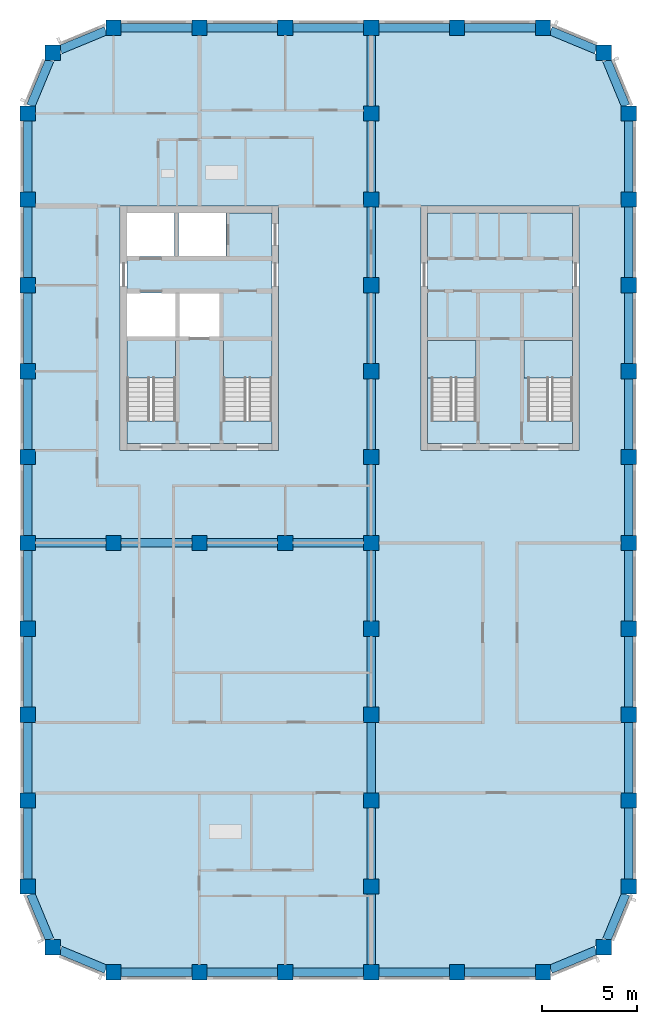
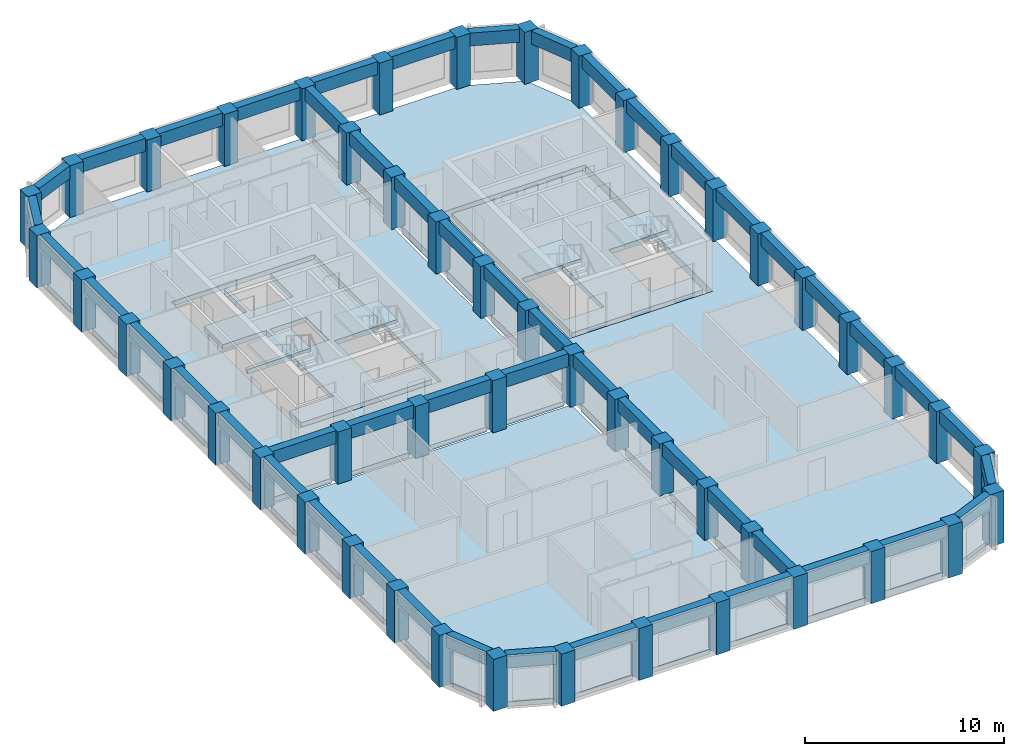
# One storey, part 1 of 9: 51 beams, 49 columns, 9 slabs, 4 elements without a shape of their own.
"""IFC4 building model written with IfcOpenShell, lengths in metres."""

from ifc_helpers import new_model, si_unit, direction, frame, origin, origin_2d, place, context, subcontext, project, spatial, polyline, rectangle, outline, extrude, material, layer, layer_set, material_profile, profile_set, type_object, element, aggregate, save


model = new_model("IFC4")

# Units and contexts
model_context = context("Model", 3, precision=1e-05, world=origin(), true_north=direction((0.0, 1.0)))
body_context = subcontext(model_context, "Body", "Model", "MODEL_VIEW")
ifc_project = project(units=[si_unit("LENGTHUNIT", "METRE"), si_unit("AREAUNIT", "SQUARE_METRE"), si_unit("VOLUMEUNIT", "CUBIC_METRE"), si_unit("PLANEANGLEUNIT", "RADIAN"), si_unit("MASSUNIT", "GRAM", prefix="KILO")], contexts=[model_context])

# Site, building, storey
site_placement = place(None, origin())
site = spatial("IfcSite", under=ifc_project, at=site_placement, CompositionType="ELEMENT")
building_placement = place(site_placement, origin())
building = spatial("IfcBuilding", under=site, at=building_placement, Name="Girih Gate Residences", CompositionType="ELEMENT")
storey_placement = place(building_placement, frame((0.0, 0.0, 216.4951171875)))
storey = spatial("IfcBuildingStorey", under=building, at=storey_placement, Name="L60", CompositionType="ELEMENT", Elevation=216.4951171875)

# Columns
ifc_material_1 = material(Name="Concrete C60/75", Category="concrete")
ifc_material_profile_1 = material_profile(ifc_material_1, rectangle(XDim=0.800048828125, YDim=0.800048828125, at=origin_2d()))
ifc_profile_set_1 = profile_set([ifc_material_profile_1], Name="Concrete C60/75")
column_type = type_object("IfcColumnType", Name="Pier RC 800x800 Concrete C60/75", PredefinedType="COLUMN", material=ifc_profile_set_1)
for number, where, z_axis, x_axis, name in (
    (1, (4.5, 0.0, 0.0), (0.0, 0.0, 1.0), (1.0, 0.0, 0.0), "Pier P2A L60"),
    (2, (9.0, 0.0, 0.0), (0.0, 0.0, 1.0), (1.0, 0.0, 0.0), "Pier P3A L60"),
    (3, (13.5, 0.0, 0.0), (0.0, 0.0, 1.0), (1.0, 0.0, 0.0), "Pier P4A L60"),
    (4, (18.0, 0.0, 0.0), (0.0, 0.0, 1.0), (1.0, 0.0, 0.0), "Pier P5A L60"),
    (5, (22.5, 0.0, 0.0), (0.0, 0.0, 1.0), (1.0, 0.0, 0.0), "Pier P6A L60"),
    (6, (27.0, 0.0, 0.0), (0.0, 0.0, 1.0), (1.0, 0.0, 0.0), "Pier P7A L60"),
    (7, (1.318115234375, 1.318115234375, 0.0), (0.0, 0.0, 1.0), (1.0, 0.0, 0.0), "Pier P1ANE L60"),
    (8, (30.181884765625, 1.318115234375, 0.0), (0.0, 0.0, 1.0), (1.0, 0.0, 0.0), "Pier P8ANW L60"),
    (9, (0.0, 4.5, 0.0), (0.0, 0.0, 1.0), (1.0, 0.0, 0.0), "Pier P1B L60"),
    (10, (18.0, 4.5, 0.0), (0.0, 0.0, 1.0), (1.0, 0.0, 0.0), "Pier P5B L60"),
    (11, (31.5, 4.5, 0.0), (0.0, 0.0, 1.0), (1.0, 0.0, 0.0), "Pier P8B L60"),
    (12, (0.0, 9.0, 0.0), (0.0, 0.0, 1.0), (1.0, 0.0, 0.0), "Pier P1C L60"),
    (13, (18.0, 9.0, 0.0), (0.0, 0.0, 1.0), (1.0, 0.0, 0.0), "Pier P5C L60"),
    (14, (31.5, 9.0, 0.0), (0.0, 0.0, 1.0), (1.0, 0.0, 0.0), "Pier P8C L60"),
    (15, (0.0, 13.5, 0.0), (0.0, 0.0, 1.0), (1.0, 0.0, 0.0), "Pier P1D L60"),
    (16, (18.0, 13.5, 0.0), (0.0, 0.0, 1.0), (1.0, 0.0, 0.0), "Pier P5D L60"),
    (17, (31.5, 13.5, 0.0), (0.0, 0.0, 1.0), (1.0, 0.0, 0.0), "Pier P8D L60"),
    (18, (0.0, 18.0, 0.0), (0.0, 0.0, 1.0), (1.0, 0.0, 0.0), "Pier P1E L60"),
    (19, (18.0, 18.0, 0.0), (0.0, 0.0, 1.0), (1.0, 0.0, 0.0), "Pier P5E L60"),
    (20, (31.5, 18.0, 0.0), (0.0, 0.0, 1.0), (1.0, 0.0, 0.0), "Pier P8E L60"),
    (21, (0.0, 22.5, 0.0), (0.0, 0.0, 1.0), (1.0, 0.0, 0.0), "Pier P1F L60"),
    (22, (4.5, 22.5, 0.0), (0.0, 0.0, 1.0), (1.0, 0.0, 0.0), "Pier P2F L60"),
    (23, (9.0, 22.5, 0.0), (0.0, 0.0, 1.0), (1.0, 0.0, 0.0), "Pier P3F L60"),
    (24, (13.5, 22.5, 0.0), (0.0, 0.0, 1.0), (1.0, 0.0, 0.0), "Pier P4F L60"),
    (25, (18.0, 22.5, 0.0), (0.0, 0.0, 1.0), (1.0, 0.0, 0.0), "Pier P5F L60"),
    (26, (31.5, 22.5, 0.0), (0.0, 0.0, 1.0), (1.0, 0.0, 0.0), "Pier P8F L60"),
    (27, (0.0, 27.0, 0.0), (0.0, 0.0, 1.0), (1.0, 0.0, 0.0), "Pier P1G L60"),
    (28, (18.0, 27.0, 0.0), (0.0, 0.0, 1.0), (1.0, 0.0, 0.0), "Pier P5G L60"),
    (29, (31.5, 27.0, 0.0), (0.0, 0.0, 1.0), (1.0, 0.0, 0.0), "Pier P8G L60"),
    (30, (0.0, 31.5, 0.0), (0.0, 0.0, 1.0), (1.0, 0.0, 0.0), "Pier P1H L60"),
    (31, (18.0, 31.5, 0.0), (0.0, 0.0, 1.0), (1.0, 0.0, 0.0), "Pier P5H L60"),
    (32, (31.5, 31.5, 0.0), (0.0, 0.0, 1.0), (1.0, 0.0, 0.0), "Pier P8H L60"),
    (33, (0.0, 36.0, 0.0), (0.0, 0.0, 1.0), (1.0, 0.0, 0.0), "Pier P1I L60"),
    (34, (18.0, 36.0, 0.0), (0.0, 0.0, 1.0), (1.0, 0.0, 0.0), "Pier P5I L60"),
    (35, (31.5, 36.0, 0.0), (0.0, 0.0, 1.0), (1.0, 0.0, 0.0), "Pier P8I L60"),
    (36, (0.0, 40.5, 0.0), (0.0, 0.0, 1.0), (1.0, 0.0, 0.0), "Pier P1J L60"),
    (37, (18.0, 40.5, 0.0), (0.0, 0.0, 1.0), (1.0, 0.0, 0.0), "Pier P5J L60"),
    (38, (31.5, 40.5, 0.0), (0.0, 0.0, 1.0), (1.0, 0.0, 0.0), "Pier P8J L60"),
    (39, (0.0, 45.0, 0.0), (0.0, 0.0, 1.0), (1.0, 0.0, 0.0), "Pier P1K L60"),
    (40, (18.0, 45.0, 0.0), (0.0, 0.0, 1.0), (1.0, 0.0, 0.0), "Pier P5K L60"),
    (41, (31.5, 45.0, 0.0), (0.0, 0.0, 1.0), (1.0, 0.0, 0.0), "Pier P8K L60"),
    (42, (1.318115234375, 48.181884765625, 0.0), (0.0, 0.0, 1.0), (1.0, 0.0, 0.0), "Pier P1LSE L60"),
    (43, (30.181884765625, 48.181884765625, 0.0), (0.0, 0.0, 1.0), (1.0, 0.0, 0.0), "Pier P8LSW L60"),
    (44, (4.5, 49.5, 0.0), (0.0, 0.0, 1.0), (1.0, 0.0, 0.0), "Pier P2L L60"),
    (45, (9.0, 49.5, 0.0), (0.0, 0.0, 1.0), (1.0, 0.0, 0.0), "Pier P3L L60"),
    (46, (13.5, 49.5, 0.0), (0.0, 0.0, 1.0), (1.0, 0.0, 0.0), "Pier P4L L60"),
    (47, (18.0, 49.5, 0.0), (0.0, 0.0, 1.0), (1.0, 0.0, 0.0), "Pier P5L L60"),
    (48, (22.5, 49.5, 0.0), (0.0, 0.0, 1.0), (1.0, 0.0, 0.0), "Pier P6L L60"),
    (49, (27.0, 49.5, 0.0), (0.0, 0.0, 1.0), (1.0, 0.0, 0.0), "Pier P7L L60"),
):
    element("IfcColumn", number, at=place(storey_placement, frame(where, z_axis=z_axis, x_axis=x_axis)), inside=storey, type_object=column_type, Name=name, PredefinedType="COLUMN", context=body_context, shape_type="SweptSolid", body=[
        extrude(rectangle(XDim=0.800048828125, YDim=0.800048828125, at=origin_2d()), origin(), (0.0, 0.0, 1.0), 3.199951171875),
    ])

# Beams
ifc_material_profile_2 = material_profile(ifc_material_1, rectangle(XDim=0.449951171875, YDim=0.800048828125, at=origin_2d()))
ifc_profile_set_2 = profile_set([ifc_material_profile_2], Name="Concrete C60/75")
beam_type = type_object("IfcBeamType", Name="Spandrel girder RC 450x800 Concrete C60/75", PredefinedType="BEAM", material=ifc_profile_set_2)
for number, where, z_axis, x_axis, name in (
    (50, (27.39990234375, 0.165771484375, 2.7998046875), (0.923895659062, 0.382644497107, 0.0), (-0.382644497107, 0.923895659062, 0.0), "Spandrel girder SP-P7A-P8ANW L60"),
    (51, (30.34765625, 1.718017578125, 2.7998046875), (0.382644497107, 0.923895659062, 0.0), (-0.923895659062, 0.382644497107, 0.0), "Spandrel girder SP-P8ANW-P8B L60"),
):
    element("IfcBeam", number, at=place(storey_placement, frame(where, z_axis=z_axis, x_axis=x_axis)), inside=storey, type_object=beam_type, Name=name, PredefinedType="BEAM", context=body_context, shape_type="SweptSolid", body=[
        extrude(rectangle(XDim=0.449951171875, YDim=0.800048828125, at=origin_2d()), origin(), (0.0, 0.0, 1.0), 2.578369140625),
    ])
for number, where, z_axis, x_axis, name in (
    (52, (31.5, 4.89990234375, 2.7998046875), (0.0, 1.0, 0.0), (-1.0, 0.0, 0.0), "Spandrel girder SP-P8B-P8C L60"),
    (53, (31.5, 9.39990234375, 2.7998046875), (0.0, 1.0, 0.0), (-1.0, 0.0, 0.0), "Spandrel girder SP-P8C-P8D L60"),
    (54, (31.5, 13.89990234375, 2.7998046875), (0.0, 1.0, 0.0), (-1.0, 0.0, 0.0), "Spandrel girder SP-P8D-P8E L60"),
    (55, (31.5, 18.39990234375, 2.7998046875), (0.0, 1.0, 0.0), (-1.0, 0.0, 0.0), "Spandrel girder SP-P8E-P8F L60"),
    (56, (31.5, 22.89990234375, 2.7998046875), (0.0, 1.0, 0.0), (-1.0, 0.0, 0.0), "Spandrel girder SP-P8F-P8G L60"),
    (57, (31.5, 27.39990234375, 2.7998046875), (0.0, 1.0, 0.0), (-1.0, 0.0, 0.0), "Spandrel girder SP-P8G-P8H L60"),
    (58, (31.5, 31.89990234375, 2.7998046875), (0.0, 1.0, 0.0), (-1.0, 0.0, 0.0), "Spandrel girder SP-P8H-P8I L60"),
    (59, (31.5, 36.39990234375, 2.7998046875), (0.0, 1.0, 0.0), (-1.0, 0.0, 0.0), "Spandrel girder SP-P8I-P8J L60"),
    (60, (31.5, 40.89990234375, 2.7998046875), (0.0, 1.0, 0.0), (-1.0, 0.0, 0.0), "Spandrel girder SP-P8J-P8K L60"),
):
    element("IfcBeam", number, at=place(storey_placement, frame(where, z_axis=z_axis, x_axis=x_axis)), inside=storey, type_object=beam_type, Name=name, PredefinedType="BEAM", context=body_context, shape_type="SweptSolid", body=[
        extrude(rectangle(XDim=0.449951171875, YDim=0.800048828125, at=origin_2d()), origin(), (0.0, 0.0, 1.0), 3.7001953125),
    ])
for number, where, z_axis, x_axis, name in (
    (61, (31.334228515625, 45.39990234375, 2.7998046875), (-0.382644497107, 0.923895659062, 0.0), (-0.923895659062, -0.382644497107, 0.0), "Spandrel girder SP-P8K-P8LSW L60"),
    (62, (29.781982421875, 48.34765625, 2.7998046875), (-0.923895659062, 0.382644497107, 0.0), (-0.382644497107, -0.923895659062, 0.0), "Spandrel girder SP-P8LSW-P7L L60"),
):
    element("IfcBeam", number, at=place(storey_placement, frame(where, z_axis=z_axis, x_axis=x_axis)), inside=storey, type_object=beam_type, Name=name, PredefinedType="BEAM", context=body_context, shape_type="SweptSolid", body=[
        extrude(rectangle(XDim=0.449951171875, YDim=0.800048828125, at=origin_2d()), origin(), (0.0, 0.0, 1.0), 2.578369140625),
    ])
for number, where, z_axis, x_axis, name in (
    (63, (26.60009765625, 49.5, 2.7998046875), (-1.0, 0.0, 0.0), (0.0, -1.0, 0.0), "Spandrel girder SP-P7L-P6L L60"),
    (64, (22.10009765625, 49.5, 2.7998046875), (-1.0, 0.0, 0.0), (0.0, -1.0, 0.0), "Spandrel girder SP-P6L-P5L L60"),
    (65, (17.60009765625, 49.5, 2.7998046875), (-1.0, 0.0, 0.0), (0.0, -1.0, 0.0), "Spandrel girder SP-P5L-P4L L60"),
    (66, (13.10009765625, 49.5, 2.7998046875), (-1.0, 0.0, 0.0), (0.0, -1.0, 0.0), "Spandrel girder SP-P4L-P3L L60"),
    (67, (8.60009765625, 49.5, 2.7998046875), (-1.0, 0.0, 0.0), (0.0, -1.0, 0.0), "Spandrel girder SP-P3L-P2L L60"),
):
    element("IfcBeam", number, at=place(storey_placement, frame(where, z_axis=z_axis, x_axis=x_axis)), inside=storey, type_object=beam_type, Name=name, PredefinedType="BEAM", context=body_context, shape_type="SweptSolid", body=[
        extrude(rectangle(XDim=0.449951171875, YDim=0.800048828125, at=origin_2d()), origin(), (0.0, 0.0, 1.0), 3.7001953125),
    ])
for number, where, z_axis, x_axis, name in (
    (68, (4.10009765625, 49.334228515625, 2.7998046875), (-0.923895659062, -0.382644497107, 0.0), (0.382644497107, -0.923895659062, 0.0), "Spandrel girder SP-P2L-P1LSE L60"),
    (69, (1.15234375, 47.781982421875, 2.7998046875), (-0.382644497107, -0.923895659062, 0.0), (0.923895659062, -0.382644497107, 0.0), "Spandrel girder SP-P1LSE-P1K L60"),
):
    element("IfcBeam", number, at=place(storey_placement, frame(where, z_axis=z_axis, x_axis=x_axis)), inside=storey, type_object=beam_type, Name=name, PredefinedType="BEAM", context=body_context, shape_type="SweptSolid", body=[
        extrude(rectangle(XDim=0.449951171875, YDim=0.800048828125, at=origin_2d()), origin(), (0.0, 0.0, 1.0), 2.578369140625),
    ])
for number, where, z_axis, x_axis, name in (
    (70, (0.0, 44.60009765625, 2.7998046875), (0.0, -1.0, 0.0), (1.0, 0.0, 0.0), "Spandrel girder SP-P1K-P1J L60"),
    (71, (0.0, 40.10009765625, 2.7998046875), (0.0, -1.0, 0.0), (1.0, 0.0, 0.0), "Spandrel girder SP-P1J-P1I L60"),
    (72, (0.0, 35.60009765625, 2.7998046875), (0.0, -1.0, 0.0), (1.0, 0.0, 0.0), "Spandrel girder SP-P1I-P1H L60"),
    (73, (0.0, 31.10009765625, 2.7998046875), (0.0, -1.0, 0.0), (1.0, 0.0, 0.0), "Spandrel girder SP-P1H-P1G L60"),
    (74, (0.0, 26.60009765625, 2.7998046875), (0.0, -1.0, 0.0), (1.0, 0.0, 0.0), "Spandrel girder SP-P1G-P1F L60"),
    (75, (0.0, 22.10009765625, 2.7998046875), (0.0, -1.0, 0.0), (1.0, 0.0, 0.0), "Spandrel girder SP-P1F-P1E L60"),
    (76, (0.0, 17.60009765625, 2.7998046875), (0.0, -1.0, 0.0), (1.0, 0.0, 0.0), "Spandrel girder SP-P1E-P1D L60"),
    (77, (0.0, 13.10009765625, 2.7998046875), (0.0, -1.0, 0.0), (1.0, 0.0, 0.0), "Spandrel girder SP-P1D-P1C L60"),
    (78, (0.0, 8.60009765625, 2.7998046875), (0.0, -1.0, 0.0), (1.0, 0.0, 0.0), "Spandrel girder SP-P1C-P1B L60"),
):
    element("IfcBeam", number, at=place(storey_placement, frame(where, z_axis=z_axis, x_axis=x_axis)), inside=storey, type_object=beam_type, Name=name, PredefinedType="BEAM", context=body_context, shape_type="SweptSolid", body=[
        extrude(rectangle(XDim=0.449951171875, YDim=0.800048828125, at=origin_2d()), origin(), (0.0, 0.0, 1.0), 3.7001953125),
    ])
for number, where, z_axis, x_axis, name in (
    (79, (0.165771484375, 4.10009765625, 2.7998046875), (0.382644497107, -0.923895659062, 0.0), (0.923895659062, 0.382644497107, 0.0), "Spandrel girder SP-P1B-P1ANE L60"),
    (80, (1.718017578125, 1.15234375, 2.7998046875), (0.923895659062, -0.382644497107, 0.0), (0.382644497107, 0.923895659062, 0.0), "Spandrel girder SP-P1ANE-P2A L60"),
):
    element("IfcBeam", number, at=place(storey_placement, frame(where, z_axis=z_axis, x_axis=x_axis)), inside=storey, type_object=beam_type, Name=name, PredefinedType="BEAM", context=body_context, shape_type="SweptSolid", body=[
        extrude(rectangle(XDim=0.449951171875, YDim=0.800048828125, at=origin_2d()), origin(), (0.0, 0.0, 1.0), 2.578369140625),
    ])
for number, where, z_axis, x_axis, name in (
    (81, (4.89990234375, 0.0, 2.7998046875), (1.0, 0.0, 0.0), (0.0, 1.0, 0.0), "Spandrel girder SP-P2A-P3A L60"),
    (82, (9.39990234375, 0.0, 2.7998046875), (1.0, 0.0, 0.0), (0.0, 1.0, 0.0), "Spandrel girder SP-P3A-P4A L60"),
    (83, (13.89990234375, 0.0, 2.7998046875), (1.0, 0.0, 0.0), (0.0, 1.0, 0.0), "Spandrel girder SP-P4A-P5A L60"),
    (84, (18.39990234375, 0.0, 2.7998046875), (1.0, 0.0, 0.0), (0.0, 1.0, 0.0), "Spandrel girder SP-P5A-P6A L60"),
    (85, (22.89990234375, 0.0, 2.7998046875), (1.0, 0.0, 0.0), (0.0, 1.0, 0.0), "Spandrel girder SP-P6A-P7A L60"),
    (86, (18.0, 0.39990234375, 2.7998046875), (0.0, 1.0, 0.0), (-1.0, 0.0, 0.0), "Spandrel girder SP-P5A-P5B L60"),
    (87, (18.0, 4.89990234375, 2.7998046875), (0.0, 1.0, 0.0), (-1.0, 0.0, 0.0), "Spandrel girder SP-P5B-P5C L60"),
    (88, (18.0, 9.39990234375, 2.7998046875), (0.0, 1.0, 0.0), (-1.0, 0.0, 0.0), "Spandrel girder SP-P5C-P5D L60"),
    (89, (18.0, 13.89990234375, 2.7998046875), (0.0, 1.0, 0.0), (-1.0, 0.0, 0.0), "Spandrel girder SP-P5D-P5E L60"),
    (90, (18.0, 18.39990234375, 2.7998046875), (0.0, 1.0, 0.0), (-1.0, 0.0, 0.0), "Spandrel girder SP-P5E-P5F L60"),
    (91, (18.0, 22.89990234375, 2.7998046875), (0.0, 1.0, 0.0), (-1.0, 0.0, 0.0), "Spandrel girder SP-P5F-P5G L60"),
    (92, (18.0, 27.39990234375, 2.7998046875), (0.0, 1.0, 0.0), (-1.0, 0.0, 0.0), "Spandrel girder SP-P5G-P5H L60"),
    (93, (18.0, 31.89990234375, 2.7998046875), (0.0, 1.0, 0.0), (-1.0, 0.0, 0.0), "Spandrel girder SP-P5H-P5I L60"),
    (94, (18.0, 36.39990234375, 2.7998046875), (0.0, 1.0, 0.0), (-1.0, 0.0, 0.0), "Spandrel girder SP-P5I-P5J L60"),
    (95, (18.0, 40.89990234375, 2.7998046875), (0.0, 1.0, 0.0), (-1.0, 0.0, 0.0), "Spandrel girder SP-P5J-P5K L60"),
    (96, (18.0, 45.39990234375, 2.7998046875), (0.0, 1.0, 0.0), (-1.0, 0.0, 0.0), "Spandrel girder SP-P5K-P5L L60"),
    (97, (0.39990234375, 22.5, 2.7998046875), (1.0, 0.0, 0.0), (0.0, 1.0, 0.0), "Spandrel girder SP-P1F-P2F L60"),
    (98, (4.89990234375, 22.5, 2.7998046875), (1.0, 0.0, 0.0), (0.0, 1.0, 0.0), "Spandrel girder SP-P2F-P3F L60"),
    (99, (9.39990234375, 22.5, 2.7998046875), (1.0, 0.0, 0.0), (0.0, 1.0, 0.0), "Spandrel girder SP-P3F-P4F L60"),
    (100, (13.89990234375, 22.5, 2.7998046875), (1.0, 0.0, 0.0), (0.0, 1.0, 0.0), "Spandrel girder SP-P4F-P5F L60"),
):
    element("IfcBeam", number, at=place(storey_placement, frame(where, z_axis=z_axis, x_axis=x_axis)), inside=storey, type_object=beam_type, Name=name, PredefinedType="BEAM", context=body_context, shape_type="SweptSolid", body=[
        extrude(rectangle(XDim=0.449951171875, YDim=0.800048828125, at=origin_2d()), origin(), (0.0, 0.0, 1.0), 3.7001953125),
    ])

# Slabs
ifc_material_2 = material(Name="Concrete C40/50", Category="concrete")
ifc_layer_1 = layer(ifc_material_2, 0.300048828125)
ifc_layer_set_1 = layer_set([ifc_layer_1], Name="Core floor slab 300")
slab_type_1 = type_object("IfcSlabType", Name="Core floor slab 300", PredefinedType="FLOOR", material=ifc_layer_set_1)
slab_1_placement = place(storey_placement, frame((0.0, 0.0, -0.300048828125)))
element("IfcSlab", 101, at=slab_1_placement, inside=storey, type_object=slab_type_1, Name="L60 W core floor", PredefinedType="FLOOR", context=body_context, shape_type="SweptSolid", body=[
    extrude(outline(polyline([(12.800048828125, 27.699951171875), (5.199951171875, 27.699951171875), (5.199951171875, 28.900634765625), (7.75, 28.900634765625), (7.75, 33.10009765625), (5.199951171875, 33.10009765625), (5.199951171875, 33.300048828125), (7.75, 33.300048828125), (7.75, 35.60009765625), (5.199951171875, 35.60009765625), (5.199951171875, 37.5), (7.699951171875, 37.5), (7.699951171875, 39.800048828125), (7.89990234375, 39.800048828125), (7.89990234375, 37.5), (10.39990234375, 37.5), (10.39990234375, 39.800048828125), (12.800048828125, 39.800048828125), (12.800048828125, 33.10009765625), (10.25, 33.10009765625), (10.25, 28.900634765625), (12.800048828125, 28.900634765625), (12.800048828125, 27.699951171875)]), holes=[polyline([(7.949951171875, 33.300048828125), (10.050048828125, 33.300048828125), (10.050048828125, 35.60009765625), (7.949951171875, 35.60009765625), (7.949951171875, 33.300048828125)])]), origin(), (0.0, 0.0, 1.0), 0.300048828125),
])
slab_2_placement = place(storey_placement, frame((0.0, 0.0, -0.300048828125)))
element("IfcSlab", 102, at=slab_2_placement, inside=storey, type_object=slab_type_1, Name="L60 C core floor", PredefinedType="FLOOR", context=body_context, shape_type="SweptSolid", body=[
    extrude(outline(polyline([(28.550048828125, 27.699951171875), (20.949951171875, 27.699951171875), (20.949951171875, 39.800048828125), (28.550048828125, 39.800048828125), (28.550048828125, 33.10009765625), (26.199951171875, 33.10009765625), (26.199951171875, 28.900634765625), (28.550048828125, 28.900634765625), (28.550048828125, 27.699951171875)]), holes=[polyline([(23.5, 28.900634765625), (23.5, 33.10009765625), (21.14990234375, 33.10009765625), (21.14990234375, 28.900634765625), (23.5, 28.900634765625)])]), origin(), (0.0, 0.0, 1.0), 0.300048828125),
])
ifc_layer_2 = layer(ifc_material_2, 0.300048828125)
ifc_layer_set_2 = layer_set([ifc_layer_2], Name="Floor slab PT 300 Concrete C40/50")
slab_type_2 = type_object("IfcSlabType", Name="Floor slab PT 300 Concrete C40/50", PredefinedType="FLOOR", material=ifc_layer_set_2)
slab_3_placement = place(storey_placement, frame((0.0, 0.0, -0.300048828125)))
element("IfcSlab", 103, at=slab_3_placement, inside=storey, type_object=slab_type_2, Name="Floor slab L60 0", PredefinedType="FLOOR", context=body_context, shape_type="SweptSolid", body=[
    extrude(outline(polyline([(13.89990234375, 0.22509765625), (17.60009765625, 0.22509765625), (17.60009765625, 0.39990234375), (17.77490234375, 0.39990234375), (17.77490234375, 4.10009765625), (17.60009765625, 4.10009765625), (17.60009765625, 4.89990234375), (17.77490234375, 4.89990234375), (17.77490234375, 8.60009765625), (17.60009765625, 8.60009765625), (17.60009765625, 9.39990234375), (17.77490234375, 9.39990234375), (17.77490234375, 13.10009765625), (17.60009765625, 13.10009765625), (17.60009765625, 13.89990234375), (17.77490234375, 13.89990234375), (17.77490234375, 17.60009765625), (17.60009765625, 17.60009765625), (17.60009765625, 18.39990234375), (17.77490234375, 18.39990234375), (17.77490234375, 22.10009765625), (17.60009765625, 22.10009765625), (17.60009765625, 22.27490234375), (13.89990234375, 22.27490234375), (13.89990234375, 22.10009765625), (13.10009765625, 22.10009765625), (13.10009765625, 22.27490234375), (9.39990234375, 22.27490234375), (9.39990234375, 22.10009765625), (8.60009765625, 22.10009765625), (8.60009765625, 22.27490234375), (4.89990234375, 22.27490234375), (4.89990234375, 22.10009765625), (4.10009765625, 22.10009765625), (4.10009765625, 22.27490234375), (0.39990234375, 22.27490234375), (0.39990234375, 22.10009765625), (0.22509765625, 22.10009765625), (0.22509765625, 18.39990234375), (0.39990234375, 18.39990234375), (0.39990234375, 17.60009765625), (0.22509765625, 17.60009765625), (0.22509765625, 13.89990234375), (0.39990234375, 13.89990234375), (0.39990234375, 13.10009765625), (0.22509765625, 13.10009765625), (0.22509765625, 9.39990234375), (0.39990234375, 9.39990234375), (0.39990234375, 8.60009765625), (0.22509765625, 8.60009765625), (0.22509765625, 4.89990234375), (0.39990234375, 4.89990234375), (0.39990234375, 4.122314453125), (1.395751953125, 1.718017578125), (1.718017578125, 1.718017578125), (1.718017578125, 1.395751953125), (4.122314453125, 0.39990234375), (4.89990234375, 0.39990234375), (4.89990234375, 0.22509765625), (8.60009765625, 0.22509765625), (8.60009765625, 0.39990234375), (9.39990234375, 0.39990234375), (9.39990234375, 0.22509765625), (13.10009765625, 0.22509765625), (13.10009765625, 0.39990234375), (13.89990234375, 0.39990234375), (13.89990234375, 0.22509765625)])), origin(), (0.0, 0.0, 1.0), 0.300048828125),
])
slab_4_placement = place(storey_placement, frame((0.0, 0.0, -0.300048828125)))
element("IfcSlab", 104, at=slab_4_placement, inside=storey, type_object=slab_type_2, Name="Floor slab L60 2", PredefinedType="FLOOR", context=body_context, shape_type="SweptSolid", body=[
    extrude(outline(polyline([(0.22509765625, 26.60009765625), (0.22509765625, 22.89990234375), (0.39990234375, 22.89990234375), (0.39990234375, 22.72509765625), (4.10009765625, 22.72509765625), (4.10009765625, 22.89990234375), (4.89990234375, 22.89990234375), (4.89990234375, 22.72509765625), (8.60009765625, 22.72509765625), (8.60009765625, 22.89990234375), (9.39990234375, 22.89990234375), (9.39990234375, 22.72509765625), (13.10009765625, 22.72509765625), (13.10009765625, 22.89990234375), (13.89990234375, 22.89990234375), (13.89990234375, 22.72509765625), (17.60009765625, 22.72509765625), (17.60009765625, 22.89990234375), (17.77490234375, 22.89990234375), (17.77490234375, 26.60009765625), (17.60009765625, 26.60009765625), (17.60009765625, 27.39990234375), (17.77490234375, 27.39990234375), (17.77490234375, 31.10009765625), (17.60009765625, 31.10009765625), (17.60009765625, 31.89990234375), (17.77490234375, 31.89990234375), (17.77490234375, 35.60009765625), (17.60009765625, 35.60009765625), (17.60009765625, 36.39990234375), (17.77490234375, 36.39990234375), (17.77490234375, 40.10009765625), (17.60009765625, 40.10009765625), (17.60009765625, 40.89990234375), (17.77490234375, 40.89990234375), (17.77490234375, 44.60009765625), (17.60009765625, 44.60009765625), (17.60009765625, 45.39990234375), (17.77490234375, 45.39990234375), (17.77490234375, 49.10009765625), (17.60009765625, 49.10009765625), (17.60009765625, 49.27490234375), (13.89990234375, 49.27490234375), (13.89990234375, 49.10009765625), (13.10009765625, 49.10009765625), (13.10009765625, 49.27490234375), (9.39990234375, 49.27490234375), (9.39990234375, 49.10009765625), (8.60009765625, 49.10009765625), (8.60009765625, 49.27490234375), (4.89990234375, 49.27490234375), (4.89990234375, 49.10009765625), (4.122314453125, 49.10009765625), (1.718017578125, 48.104248046875), (1.718017578125, 47.781982421875), (1.395751953125, 47.781982421875), (0.39990234375, 45.377685546875), (0.39990234375, 44.60009765625), (0.22509765625, 44.60009765625), (0.22509765625, 40.89990234375), (0.39990234375, 40.89990234375), (0.39990234375, 40.10009765625), (0.22509765625, 40.10009765625), (0.22509765625, 36.39990234375), (0.39990234375, 36.39990234375), (0.39990234375, 35.60009765625), (0.22509765625, 35.60009765625), (0.22509765625, 31.89990234375), (0.39990234375, 31.89990234375), (0.39990234375, 31.10009765625), (0.22509765625, 31.10009765625), (0.22509765625, 27.39990234375), (0.39990234375, 27.39990234375), (0.39990234375, 26.60009765625), (0.22509765625, 26.60009765625)]), holes=[polyline([(13.14990234375, 40.14990234375), (13.14990234375, 27.35009765625), (4.85009765625, 27.35009765625), (4.85009765625, 40.14990234375), (13.14990234375, 40.14990234375)])]), origin(), (0.0, 0.0, 1.0), 0.300048828125),
])
ifc_layer_3 = layer(ifc_material_2, 0.449951171875)
ifc_layer_set_3 = layer_set([ifc_layer_3], Name="Floor slab PT 450 Concrete C40/50")
slab_type_3 = type_object("IfcSlabType", Name="Floor slab PT 450 Concrete C40/50", PredefinedType="FLOOR", material=ifc_layer_set_3)
slab_5_placement = place(storey_placement, frame((0.0, 0.0, -0.4501953125)))
element("IfcSlab", 105, at=slab_5_placement, inside=storey, type_object=slab_type_3, Name="Floor slab L60 1", PredefinedType="FLOOR", context=body_context, shape_type="SweptSolid", body=[
    extrude(outline(polyline([(22.89990234375, 0.22509765625), (26.60009765625, 0.22509765625), (26.60009765625, 0.39990234375), (27.377685546875, 0.39990234375), (29.781982421875, 1.395751953125), (29.781982421875, 1.718017578125), (30.104248046875, 1.718017578125), (31.10009765625, 4.122314453125), (31.10009765625, 4.89990234375), (31.27490234375, 4.89990234375), (31.27490234375, 8.60009765625), (31.10009765625, 8.60009765625), (31.10009765625, 9.39990234375), (31.27490234375, 9.39990234375), (31.27490234375, 13.10009765625), (31.10009765625, 13.10009765625), (31.10009765625, 13.89990234375), (31.27490234375, 13.89990234375), (31.27490234375, 17.60009765625), (31.10009765625, 17.60009765625), (31.10009765625, 18.39990234375), (31.27490234375, 18.39990234375), (31.27490234375, 22.10009765625), (31.10009765625, 22.10009765625), (31.10009765625, 22.89990234375), (31.27490234375, 22.89990234375), (31.27490234375, 26.60009765625), (31.10009765625, 26.60009765625), (31.10009765625, 27.39990234375), (31.27490234375, 27.39990234375), (31.27490234375, 31.10009765625), (31.10009765625, 31.10009765625), (31.10009765625, 31.89990234375), (31.27490234375, 31.89990234375), (31.27490234375, 35.60009765625), (31.10009765625, 35.60009765625), (31.10009765625, 36.39990234375), (31.27490234375, 36.39990234375), (31.27490234375, 40.10009765625), (31.10009765625, 40.10009765625), (31.10009765625, 40.89990234375), (31.27490234375, 40.89990234375), (31.27490234375, 44.60009765625), (31.10009765625, 44.60009765625), (31.10009765625, 45.377685546875), (30.104248046875, 47.781982421875), (29.781982421875, 47.781982421875), (29.781982421875, 48.104248046875), (27.377685546875, 49.10009765625), (26.60009765625, 49.10009765625), (26.60009765625, 49.27490234375), (22.89990234375, 49.27490234375), (22.89990234375, 49.10009765625), (22.10009765625, 49.10009765625), (22.10009765625, 49.27490234375), (18.39990234375, 49.27490234375), (18.39990234375, 49.10009765625), (18.22509765625, 49.10009765625), (18.22509765625, 45.39990234375), (18.39990234375, 45.39990234375), (18.39990234375, 44.60009765625), (18.22509765625, 44.60009765625), (18.22509765625, 40.89990234375), (18.39990234375, 40.89990234375), (18.39990234375, 40.10009765625), (18.22509765625, 40.10009765625), (18.22509765625, 36.39990234375), (18.39990234375, 36.39990234375), (18.39990234375, 35.60009765625), (18.22509765625, 35.60009765625), (18.22509765625, 31.89990234375), (18.39990234375, 31.89990234375), (18.39990234375, 31.10009765625), (18.22509765625, 31.10009765625), (18.22509765625, 27.39990234375), (18.39990234375, 27.39990234375), (18.39990234375, 26.60009765625), (18.22509765625, 26.60009765625), (18.22509765625, 22.89990234375), (18.39990234375, 22.89990234375), (18.39990234375, 22.10009765625), (18.22509765625, 22.10009765625), (18.22509765625, 18.39990234375), (18.39990234375, 18.39990234375), (18.39990234375, 17.60009765625), (18.22509765625, 17.60009765625), (18.22509765625, 13.89990234375), (18.39990234375, 13.89990234375), (18.39990234375, 13.10009765625), (18.22509765625, 13.10009765625), (18.22509765625, 9.39990234375), (18.39990234375, 9.39990234375), (18.39990234375, 8.60009765625), (18.22509765625, 8.60009765625), (18.22509765625, 4.89990234375), (18.39990234375, 4.89990234375), (18.39990234375, 4.10009765625), (18.22509765625, 4.10009765625), (18.22509765625, 0.39990234375), (18.39990234375, 0.39990234375), (18.39990234375, 0.22509765625), (22.10009765625, 0.22509765625), (22.10009765625, 0.39990234375), (22.89990234375, 0.39990234375), (22.89990234375, 0.22509765625)]), holes=[polyline([(28.89990234375, 40.14990234375), (28.89990234375, 27.35009765625), (20.60009765625, 27.35009765625), (20.60009765625, 40.14990234375), (28.89990234375, 40.14990234375)])]), origin(), (0.0, 0.0, 1.0), 0.4501953125),
])

# Stair, slab
stair_type_1 = type_object("IfcStairType", Name="Exit stair", PredefinedType="HALF_TURN_STAIR", material=ifc_material_2)
stair_1_placement = place(storey_placement, origin())
stair_1 = element("IfcStair", 106, at=stair_1_placement, inside=storey, type_object=stair_type_1, Name="L60 Exit Stair ST-W1", PredefinedType="HALF_TURN_STAIR")
ifc_layer_4 = layer(ifc_material_2, 0.199951171875)
ifc_layer_set_4 = layer_set([ifc_layer_4], Name="Stair landing 200")
slab_type_4 = type_object("IfcSlabType", Name="Stair landing 200", PredefinedType="LANDING", material=ifc_layer_set_4)
slab_6_placement = place(storey_placement, frame((0.0, 0.0, 1.39990234375)))
slab_6 = element("IfcSlab", 107, at=slab_6_placement, type_object=slab_type_4, Name="ST-W1 landing 1", PredefinedType="LANDING", context=body_context, shape_type="SweptSolid", body=[
    extrude(outline(polyline([(7.75, 31.14990234375), (7.75, 33.10009765625), (5.199951171875, 33.10009765625), (5.199951171875, 31.14990234375), (7.75, 31.14990234375)])), origin(), (0.0, 0.0, 1.0), 0.199951171875),
])
aggregate(stair_1, [slab_6])

stair_2_placement = place(storey_placement, origin())
stair_2 = element("IfcStair", 108, at=stair_2_placement, inside=storey, type_object=stair_type_1, Name="L60 Exit Stair ST-W2", PredefinedType="HALF_TURN_STAIR")
slab_7_placement = place(storey_placement, frame((0.0, 0.0, 1.39990234375)))
slab_7 = element("IfcSlab", 109, at=slab_7_placement, type_object=slab_type_4, Name="ST-W2 landing 1", PredefinedType="LANDING", context=body_context, shape_type="SweptSolid", body=[
    extrude(outline(polyline([(12.800048828125, 31.14990234375), (12.800048828125, 33.10009765625), (10.25, 33.10009765625), (10.25, 31.14990234375), (12.800048828125, 31.14990234375)])), origin(), (0.0, 0.0, 1.0), 0.199951171875),
])
aggregate(stair_2, [slab_7])

stair_type_2 = type_object("IfcStairType", Name="Exit stair C core", PredefinedType="HALF_TURN_STAIR", material=ifc_material_2)
stair_3_placement = place(storey_placement, origin())
stair_3 = element("IfcStair", 110, at=stair_3_placement, inside=storey, type_object=stair_type_2, Name="L60 Exit Stair ST-C1", PredefinedType="HALF_TURN_STAIR")
slab_8_placement = place(storey_placement, frame((0.0, 0.0, 1.39990234375)))
slab_8 = element("IfcSlab", 111, at=slab_8_placement, type_object=slab_type_4, Name="ST-C1 landing 1", PredefinedType="LANDING", context=body_context, shape_type="SweptSolid", body=[
    extrude(outline(polyline([(23.5, 31.14990234375), (23.5, 33.10009765625), (20.949951171875, 33.10009765625), (20.949951171875, 31.14990234375), (23.5, 31.14990234375)])), origin(), (0.0, 0.0, 1.0), 0.199951171875),
])
aggregate(stair_3, [slab_8])

stair_4_placement = place(storey_placement, origin())
stair_4 = element("IfcStair", 112, at=stair_4_placement, inside=storey, type_object=stair_type_2, Name="L60 Exit Stair ST-C2", PredefinedType="HALF_TURN_STAIR")
slab_9_placement = place(storey_placement, frame((0.0, 0.0, 1.39990234375)))
slab_9 = element("IfcSlab", 113, at=slab_9_placement, type_object=slab_type_4, Name="ST-C2 landing 1", PredefinedType="LANDING", context=body_context, shape_type="SweptSolid", body=[
    extrude(outline(polyline([(28.550048828125, 31.14990234375), (28.550048828125, 33.10009765625), (26.0, 33.10009765625), (26.0, 31.14990234375), (28.550048828125, 31.14990234375)])), origin(), (0.0, 0.0, 1.0), 0.199951171875),
])
aggregate(stair_4, [slab_9])

save(model, "model.ifc")
